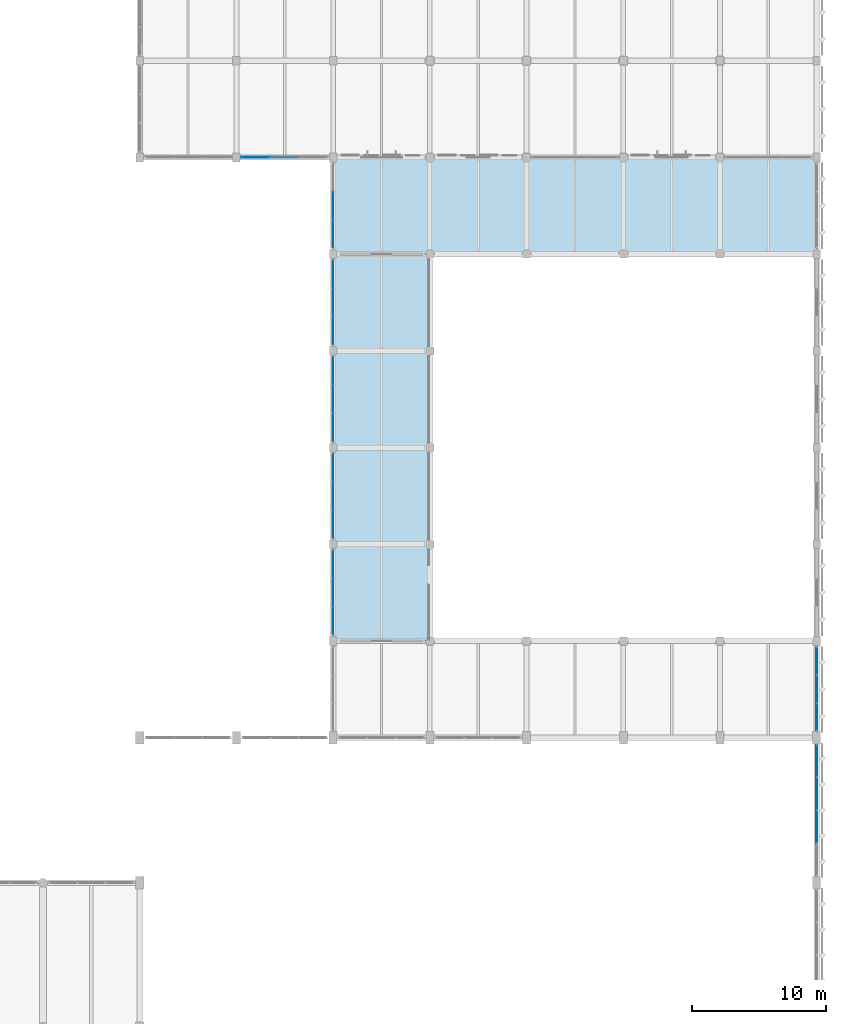
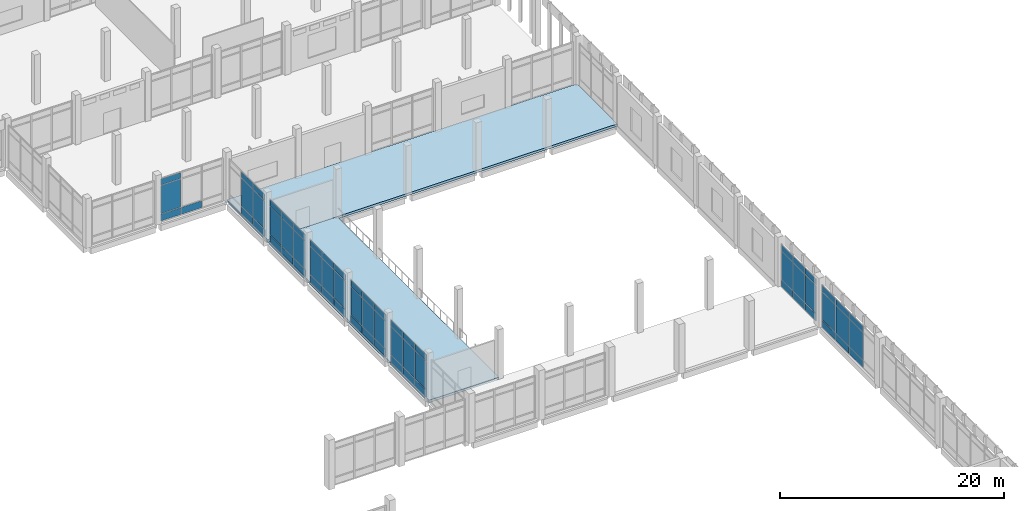
# One storey, part 150 of 180: 64 plates, 2 slabs, 8 elements without a shape of their own.
"""IFC4 building model written with IfcOpenShell, lengths in metres."""

from ifc_helpers import new_model, si_unit, direction, frame, origin, origin_2d, place, context, subcontext, project, spatial, polyline, rectangle, outline, extrude, material, layer, layer_set, type_object, element, aggregate, save


model = new_model("IFC4")

# Units and contexts
model_context = context("Model", 3, precision=1e-05, world=origin(), true_north=direction((0.0, 1.0)))
body_context = subcontext(model_context, "Body", "Model", "MODEL_VIEW")
ifc_project = project(units=[si_unit("LENGTHUNIT", "METRE"), si_unit("AREAUNIT", "SQUARE_METRE"), si_unit("VOLUMEUNIT", "CUBIC_METRE"), si_unit("PLANEANGLEUNIT", "RADIAN"), si_unit("MASSUNIT", "GRAM", prefix="KILO")], contexts=[model_context])

# Site, building, storey
site_placement = place(None, origin())
site = spatial("IfcSite", under=ifc_project, at=site_placement, CompositionType="ELEMENT")
building_placement = place(site_placement, origin())
building = spatial("IfcBuilding", under=site, at=building_placement, Name="Lusvemor Sports Hall", CompositionType="ELEMENT")
storey_placement = place(building_placement, frame((0.0, 0.0, 5.39990234375)))
storey = spatial("IfcBuildingStorey", under=building, at=storey_placement, Name="L01", CompositionType="ELEMENT", Elevation=5.39990234375)

# Curtain wall, plates
ifc_material_1 = material(Name="Thermally broken bronze-anodized aluminium", Category="aluminium")
curtain_wall_type_1 = type_object("IfcCurtainWallType", Name="CW_COURT_C", PredefinedType="NOTDEFINED", material=ifc_material_1)
curtain_wall_1_placement = place(storey_placement, origin())
curtain_wall_1 = element("IfcCurtainWall", 1, at=curtain_wall_1_placement, inside=storey, type_object=curtain_wall_type_1, Name="Curtain Wall CW-V2E-L01-3", PredefinedType="NOTDEFINED")
ifc_material_2 = material(Name="Solar-control laminated double glazing", Category="glass")
ifc_layer_1 = layer(ifc_material_2, 0.028076171875)
ifc_layer_set_1 = layer_set([ifc_layer_1], Name="Solar-control laminated double glazing")
plate_type_1 = type_object("IfcPlateType", Name="CW_PAN_GLZ_28", PredefinedType="CURTAIN_PANEL", material=ifc_layer_set_1)
plate_1_placement = place(storey_placement, frame((169.199951171875, 37.873779296875, 0.8798828125), z_axis=(0.0, 0.0, 1.0), x_axis=(0.0, -1.0, 0.0)))
plate_1 = element("IfcPlate", 2, at=plate_1_placement, type_object=plate_type_1, Name="CW03 panel 1.2", PredefinedType="CURTAIN_PANEL", context=body_context, shape_type="SweptSolid", body=[
    extrude(rectangle(XDim=2.362548828125, YDim=0.028076171875, at=origin_2d()), origin(), (0.0, 0.0, 1.0), 2.989990234375),
])
plate_2_placement = place(storey_placement, frame((169.199951171875, 37.873779296875, 3.93017578125), z_axis=(0.0, 0.0, 1.0), x_axis=(0.0, -1.0, 0.0)))
plate_2 = element("IfcPlate", 3, at=plate_2_placement, type_object=plate_type_1, Name="CW03 panel 1.3", PredefinedType="CURTAIN_PANEL", context=body_context, shape_type="SweptSolid", body=[
    extrude(rectangle(XDim=2.362548828125, YDim=0.028076171875, at=origin_2d()), origin(), (0.0, 0.0, 1.0), 0.659912109375),
])
plate_3_placement = place(storey_placement, frame((169.199951171875, 35.429931640625, 0.8798828125), z_axis=(0.0, 0.0, 1.0), x_axis=(0.0, -1.0, 0.0)))
plate_3 = element("IfcPlate", 4, at=plate_3_placement, type_object=plate_type_1, Name="CW03 panel 2.2", PredefinedType="CURTAIN_PANEL", context=body_context, shape_type="SweptSolid", body=[
    extrude(rectangle(XDim=2.39501953125, YDim=0.028076171875, at=origin_2d()), origin(), (0.0, 0.0, 1.0), 2.989990234375),
])
plate_4_placement = place(storey_placement, frame((169.199951171875, 35.429931640625, 3.93017578125), z_axis=(0.0, 0.0, 1.0), x_axis=(0.0, -1.0, 0.0)))
plate_4 = element("IfcPlate", 5, at=plate_4_placement, type_object=plate_type_1, Name="CW03 panel 2.3", PredefinedType="CURTAIN_PANEL", context=body_context, shape_type="SweptSolid", body=[
    extrude(rectangle(XDim=2.39501953125, YDim=0.028076171875, at=origin_2d()), origin(), (0.0, 0.0, 1.0), 0.659912109375),
])
plate_5_placement = place(storey_placement, frame((169.199951171875, 32.969970703125, 0.8798828125), z_axis=(0.0, 0.0, 1.0), x_axis=(0.0, -1.0, 0.0)))
plate_5 = element("IfcPlate", 6, at=plate_5_placement, type_object=plate_type_1, Name="CW03 panel 3.2", PredefinedType="CURTAIN_PANEL", context=body_context, shape_type="SweptSolid", body=[
    extrude(rectangle(XDim=2.39501953125, YDim=0.028076171875, at=origin_2d()), origin(), (0.0, 0.0, 1.0), 2.989990234375),
])
plate_6_placement = place(storey_placement, frame((169.199951171875, 32.969970703125, 3.93017578125), z_axis=(0.0, 0.0, 1.0), x_axis=(0.0, -1.0, 0.0)))
plate_6 = element("IfcPlate", 7, at=plate_6_placement, type_object=plate_type_1, Name="CW03 panel 3.3", PredefinedType="CURTAIN_PANEL", context=body_context, shape_type="SweptSolid", body=[
    extrude(rectangle(XDim=2.39501953125, YDim=0.028076171875, at=origin_2d()), origin(), (0.0, 0.0, 1.0), 0.659912109375),
])

ifc_material_3 = material(Name="Thermally broken bronze-anodized aluminium", Category="aluminium")
curtain_wall_type_2 = type_object("IfcCurtainWallType", Name="CW_CLIMB_D", PredefinedType="NOTDEFINED", material=ifc_material_3)
curtain_wall_2_placement = place(storey_placement, origin())
curtain_wall_2 = element("IfcCurtainWall", 8, at=curtain_wall_2_placement, inside=storey, type_object=curtain_wall_type_2, Name="Curtain Wall CW-V3W-L01-0", PredefinedType="NOTDEFINED")
plate_7_placement = place(storey_placement, frame((133.199951171875, 48.296142578125, 0.880126953125), z_axis=(0.0, 0.0, 1.0), x_axis=(0.0, 1.0, 0.0)))
plate_7 = element("IfcPlate", 9, at=plate_7_placement, type_object=plate_type_1, Name="CW04 panel 1.2", PredefinedType="CURTAIN_PANEL", context=body_context, shape_type="SweptSolid", body=[
    extrude(rectangle(XDim=2.0224609375, YDim=0.028076171875, at=origin_2d()), origin(), (0.0, 0.0, 1.0), 3.0400390625),
])
plate_8_placement = place(storey_placement, frame((133.199951171875, 48.296142578125, 3.97998046875), z_axis=(0.0, 0.0, 1.0), x_axis=(0.0, 1.0, 0.0)))
plate_8 = element("IfcPlate", 10, at=plate_8_placement, type_object=plate_type_1, Name="CW04 panel 1.3", PredefinedType="CURTAIN_PANEL", context=body_context, shape_type="SweptSolid", body=[
    extrude(rectangle(XDim=2.0224609375, YDim=0.028076171875, at=origin_2d()), origin(), (0.0, 0.0, 1.0), 0.659912109375),
])
plate_9_placement = place(storey_placement, frame((133.199951171875, 50.39990234375, 0.880126953125), z_axis=(0.0, 0.0, 1.0), x_axis=(0.0, 1.0, 0.0)))
plate_9 = element("IfcPlate", 11, at=plate_9_placement, type_object=plate_type_1, Name="CW04 panel 2.2", PredefinedType="CURTAIN_PANEL", context=body_context, shape_type="SweptSolid", body=[
    extrude(rectangle(XDim=2.054931640625, YDim=0.028076171875, at=origin_2d()), origin(), (0.0, 0.0, 1.0), 3.0400390625),
])
plate_10_placement = place(storey_placement, frame((133.199951171875, 50.39990234375, 3.97998046875), z_axis=(0.0, 0.0, 1.0), x_axis=(0.0, 1.0, 0.0)))
plate_10 = element("IfcPlate", 12, at=plate_10_placement, type_object=plate_type_1, Name="CW04 panel 2.3", PredefinedType="CURTAIN_PANEL", context=body_context, shape_type="SweptSolid", body=[
    extrude(rectangle(XDim=2.054931640625, YDim=0.028076171875, at=origin_2d()), origin(), (0.0, 0.0, 1.0), 0.659912109375),
])
plate_11_placement = place(storey_placement, frame((133.199951171875, 52.503662109375, 0.880126953125), z_axis=(0.0, 0.0, 1.0), x_axis=(0.0, 1.0, 0.0)))
plate_11 = element("IfcPlate", 13, at=plate_11_placement, type_object=plate_type_1, Name="CW04 panel 3.2", PredefinedType="CURTAIN_PANEL", context=body_context, shape_type="SweptSolid", body=[
    extrude(rectangle(XDim=2.0224609375, YDim=0.028076171875, at=origin_2d()), origin(), (0.0, 0.0, 1.0), 3.0400390625),
])
plate_12_placement = place(storey_placement, frame((133.199951171875, 52.503662109375, 3.97998046875), z_axis=(0.0, 0.0, 1.0), x_axis=(0.0, 1.0, 0.0)))
plate_12 = element("IfcPlate", 14, at=plate_12_placement, type_object=plate_type_1, Name="CW04 panel 3.3", PredefinedType="CURTAIN_PANEL", context=body_context, shape_type="SweptSolid", body=[
    extrude(rectangle(XDim=2.0224609375, YDim=0.028076171875, at=origin_2d()), origin(), (0.0, 0.0, 1.0), 0.659912109375),
])

curtain_wall_3_placement = place(storey_placement, origin())
curtain_wall_3 = element("IfcCurtainWall", 15, at=curtain_wall_3_placement, inside=storey, type_object=curtain_wall_type_2, Name="Curtain Wall CW-V3W-L01-1", PredefinedType="NOTDEFINED")
plate_13_placement = place(storey_placement, frame((133.199951171875, 55.496337890625, 0.880126953125), z_axis=(0.0, 0.0, 1.0), x_axis=(0.0, 1.0, 0.0)))
plate_13 = element("IfcPlate", 16, at=plate_13_placement, type_object=plate_type_1, Name="CW04 panel 1.2", PredefinedType="CURTAIN_PANEL", context=body_context, shape_type="SweptSolid", body=[
    extrude(rectangle(XDim=2.0224609375, YDim=0.028076171875, at=origin_2d()), origin(), (0.0, 0.0, 1.0), 3.0400390625),
])
plate_14_placement = place(storey_placement, frame((133.199951171875, 55.496337890625, 3.97998046875), z_axis=(0.0, 0.0, 1.0), x_axis=(0.0, 1.0, 0.0)))
plate_14 = element("IfcPlate", 17, at=plate_14_placement, type_object=plate_type_1, Name="CW04 panel 1.3", PredefinedType="CURTAIN_PANEL", context=body_context, shape_type="SweptSolid", body=[
    extrude(rectangle(XDim=2.0224609375, YDim=0.028076171875, at=origin_2d()), origin(), (0.0, 0.0, 1.0), 0.659912109375),
])
plate_15_placement = place(storey_placement, frame((133.199951171875, 57.60009765625, 0.880126953125), z_axis=(0.0, 0.0, 1.0), x_axis=(0.0, 1.0, 0.0)))
plate_15 = element("IfcPlate", 18, at=plate_15_placement, type_object=plate_type_1, Name="CW04 panel 2.2", PredefinedType="CURTAIN_PANEL", context=body_context, shape_type="SweptSolid", body=[
    extrude(rectangle(XDim=2.054931640625, YDim=0.028076171875, at=origin_2d()), origin(), (0.0, 0.0, 1.0), 3.0400390625),
])
plate_16_placement = place(storey_placement, frame((133.199951171875, 57.60009765625, 3.97998046875), z_axis=(0.0, 0.0, 1.0), x_axis=(0.0, 1.0, 0.0)))
plate_16 = element("IfcPlate", 19, at=plate_16_placement, type_object=plate_type_1, Name="CW04 panel 2.3", PredefinedType="CURTAIN_PANEL", context=body_context, shape_type="SweptSolid", body=[
    extrude(rectangle(XDim=2.054931640625, YDim=0.028076171875, at=origin_2d()), origin(), (0.0, 0.0, 1.0), 0.659912109375),
])
plate_17_placement = place(storey_placement, frame((133.199951171875, 59.703857421875, 0.880126953125), z_axis=(0.0, 0.0, 1.0), x_axis=(0.0, 1.0, 0.0)))
plate_17 = element("IfcPlate", 20, at=plate_17_placement, type_object=plate_type_1, Name="CW04 panel 3.2", PredefinedType="CURTAIN_PANEL", context=body_context, shape_type="SweptSolid", body=[
    extrude(rectangle(XDim=2.0224609375, YDim=0.028076171875, at=origin_2d()), origin(), (0.0, 0.0, 1.0), 3.0400390625),
])
plate_18_placement = place(storey_placement, frame((133.199951171875, 59.703857421875, 3.97998046875), z_axis=(0.0, 0.0, 1.0), x_axis=(0.0, 1.0, 0.0)))
plate_18 = element("IfcPlate", 21, at=plate_18_placement, type_object=plate_type_1, Name="CW04 panel 3.3", PredefinedType="CURTAIN_PANEL", context=body_context, shape_type="SweptSolid", body=[
    extrude(rectangle(XDim=2.0224609375, YDim=0.028076171875, at=origin_2d()), origin(), (0.0, 0.0, 1.0), 0.659912109375),
])

curtain_wall_4_placement = place(storey_placement, origin())
curtain_wall_4 = element("IfcCurtainWall", 22, at=curtain_wall_4_placement, inside=storey, type_object=curtain_wall_type_2, Name="Curtain Wall CW-V3W-L01-2", PredefinedType="NOTDEFINED")
plate_19_placement = place(storey_placement, frame((133.199951171875, 62.6962890625, 0.880126953125), z_axis=(0.0, 0.0, 1.0), x_axis=(0.0, 1.0, 0.0)))
plate_19 = element("IfcPlate", 23, at=plate_19_placement, type_object=plate_type_1, Name="CW04 panel 1.2", PredefinedType="CURTAIN_PANEL", context=body_context, shape_type="SweptSolid", body=[
    extrude(rectangle(XDim=2.0224609375, YDim=0.028076171875, at=origin_2d()), origin(), (0.0, 0.0, 1.0), 3.0400390625),
])
plate_20_placement = place(storey_placement, frame((133.199951171875, 62.6962890625, 3.97998046875), z_axis=(0.0, 0.0, 1.0), x_axis=(0.0, 1.0, 0.0)))
plate_20 = element("IfcPlate", 24, at=plate_20_placement, type_object=plate_type_1, Name="CW04 panel 1.3", PredefinedType="CURTAIN_PANEL", context=body_context, shape_type="SweptSolid", body=[
    extrude(rectangle(XDim=2.0224609375, YDim=0.028076171875, at=origin_2d()), origin(), (0.0, 0.0, 1.0), 0.659912109375),
])
plate_21_placement = place(storey_placement, frame((133.199951171875, 64.800048828125, 0.880126953125), z_axis=(0.0, 0.0, 1.0), x_axis=(0.0, 1.0, 0.0)))
plate_21 = element("IfcPlate", 25, at=plate_21_placement, type_object=plate_type_1, Name="CW04 panel 2.2", PredefinedType="CURTAIN_PANEL", context=body_context, shape_type="SweptSolid", body=[
    extrude(rectangle(XDim=2.054931640625, YDim=0.028076171875, at=origin_2d()), origin(), (0.0, 0.0, 1.0), 3.0400390625),
])
plate_22_placement = place(storey_placement, frame((133.199951171875, 64.800048828125, 3.97998046875), z_axis=(0.0, 0.0, 1.0), x_axis=(0.0, 1.0, 0.0)))
plate_22 = element("IfcPlate", 26, at=plate_22_placement, type_object=plate_type_1, Name="CW04 panel 2.3", PredefinedType="CURTAIN_PANEL", context=body_context, shape_type="SweptSolid", body=[
    extrude(rectangle(XDim=2.054931640625, YDim=0.028076171875, at=origin_2d()), origin(), (0.0, 0.0, 1.0), 0.659912109375),
])
plate_23_placement = place(storey_placement, frame((133.199951171875, 66.90380859375, 0.880126953125), z_axis=(0.0, 0.0, 1.0), x_axis=(0.0, 1.0, 0.0)))
plate_23 = element("IfcPlate", 27, at=plate_23_placement, type_object=plate_type_1, Name="CW04 panel 3.2", PredefinedType="CURTAIN_PANEL", context=body_context, shape_type="SweptSolid", body=[
    extrude(rectangle(XDim=2.0224609375, YDim=0.028076171875, at=origin_2d()), origin(), (0.0, 0.0, 1.0), 3.0400390625),
])
plate_24_placement = place(storey_placement, frame((133.199951171875, 66.90380859375, 3.97998046875), z_axis=(0.0, 0.0, 1.0), x_axis=(0.0, 1.0, 0.0)))
plate_24 = element("IfcPlate", 28, at=plate_24_placement, type_object=plate_type_1, Name="CW04 panel 3.3", PredefinedType="CURTAIN_PANEL", context=body_context, shape_type="SweptSolid", body=[
    extrude(rectangle(XDim=2.0224609375, YDim=0.028076171875, at=origin_2d()), origin(), (0.0, 0.0, 1.0), 0.659912109375),
])

curtain_wall_5_placement = place(storey_placement, origin())
curtain_wall_5 = element("IfcCurtainWall", 29, at=curtain_wall_5_placement, inside=storey, type_object=curtain_wall_type_2, Name="Curtain Wall CW-V3W-L01-3", PredefinedType="NOTDEFINED")
plate_25_placement = place(storey_placement, frame((133.199951171875, 69.896240234375, 0.880126953125), z_axis=(0.0, 0.0, 1.0), x_axis=(0.0, 1.0, 0.0)))
plate_25 = element("IfcPlate", 30, at=plate_25_placement, type_object=plate_type_1, Name="CW04 panel 1.2", PredefinedType="CURTAIN_PANEL", context=body_context, shape_type="SweptSolid", body=[
    extrude(rectangle(XDim=2.0224609375, YDim=0.028076171875, at=origin_2d()), origin(), (0.0, 0.0, 1.0), 3.0400390625),
])
plate_26_placement = place(storey_placement, frame((133.199951171875, 69.896240234375, 3.97998046875), z_axis=(0.0, 0.0, 1.0), x_axis=(0.0, 1.0, 0.0)))
plate_26 = element("IfcPlate", 31, at=plate_26_placement, type_object=plate_type_1, Name="CW04 panel 1.3", PredefinedType="CURTAIN_PANEL", context=body_context, shape_type="SweptSolid", body=[
    extrude(rectangle(XDim=2.0224609375, YDim=0.028076171875, at=origin_2d()), origin(), (0.0, 0.0, 1.0), 0.659912109375),
])
plate_27_placement = place(storey_placement, frame((133.199951171875, 72.0, 0.880126953125), z_axis=(0.0, 0.0, 1.0), x_axis=(0.0, 1.0, 0.0)))
plate_27 = element("IfcPlate", 32, at=plate_27_placement, type_object=plate_type_1, Name="CW04 panel 2.2", PredefinedType="CURTAIN_PANEL", context=body_context, shape_type="SweptSolid", body=[
    extrude(rectangle(XDim=2.054931640625, YDim=0.028076171875, at=origin_2d()), origin(), (0.0, 0.0, 1.0), 3.0400390625),
])
plate_28_placement = place(storey_placement, frame((133.199951171875, 72.0, 3.97998046875), z_axis=(0.0, 0.0, 1.0), x_axis=(0.0, 1.0, 0.0)))
plate_28 = element("IfcPlate", 33, at=plate_28_placement, type_object=plate_type_1, Name="CW04 panel 2.3", PredefinedType="CURTAIN_PANEL", context=body_context, shape_type="SweptSolid", body=[
    extrude(rectangle(XDim=2.054931640625, YDim=0.028076171875, at=origin_2d()), origin(), (0.0, 0.0, 1.0), 0.659912109375),
])
plate_29_placement = place(storey_placement, frame((133.199951171875, 74.103759765625, 0.880126953125), z_axis=(0.0, 0.0, 1.0), x_axis=(0.0, 1.0, 0.0)))
plate_29 = element("IfcPlate", 34, at=plate_29_placement, type_object=plate_type_1, Name="CW04 panel 3.2", PredefinedType="CURTAIN_PANEL", context=body_context, shape_type="SweptSolid", body=[
    extrude(rectangle(XDim=2.0224609375, YDim=0.028076171875, at=origin_2d()), origin(), (0.0, 0.0, 1.0), 3.0400390625),
])
plate_30_placement = place(storey_placement, frame((133.199951171875, 74.103759765625, 3.97998046875), z_axis=(0.0, 0.0, 1.0), x_axis=(0.0, 1.0, 0.0)))
plate_30 = element("IfcPlate", 35, at=plate_30_placement, type_object=plate_type_1, Name="CW04 panel 3.3", PredefinedType="CURTAIN_PANEL", context=body_context, shape_type="SweptSolid", body=[
    extrude(rectangle(XDim=2.0224609375, YDim=0.028076171875, at=origin_2d()), origin(), (0.0, 0.0, 1.0), 0.659912109375),
])

ifc_material_4 = material(Name="Thermally broken bronze-anodized aluminium", Category="aluminium")
curtain_wall_type_3 = type_object("IfcCurtainWallType", Name="CW_PASSAGE_E", PredefinedType="NOTDEFINED", material=ifc_material_4)
curtain_wall_6_placement = place(storey_placement, origin())
curtain_wall_6 = element("IfcCurtainWall", 36, at=curtain_wall_6_placement, inside=storey, type_object=curtain_wall_type_3, Name="Curtain Wall CW-ELINK-169-L01", PredefinedType="NOTDEFINED")
plate_31_placement = place(storey_placement, frame((169.199951171875, 41.142822265625, 0.880126953125), z_axis=(0.0, 0.0, 1.0), x_axis=(0.0, 1.0, 0.0)))
plate_31 = element("IfcPlate", 37, at=plate_31_placement, type_object=plate_type_1, Name="CW05 panel 1.2", PredefinedType="CURTAIN_PANEL", context=body_context, shape_type="SweptSolid", body=[
    extrude(rectangle(XDim=1.995849609375, YDim=0.028076171875, at=origin_2d()), origin(), (0.0, 0.0, 1.0), 3.0400390625),
])
plate_32_placement = place(storey_placement, frame((169.199951171875, 41.142822265625, 3.97998046875), z_axis=(0.0, 0.0, 1.0), x_axis=(0.0, 1.0, 0.0)))
plate_32 = element("IfcPlate", 38, at=plate_32_placement, type_object=plate_type_1, Name="CW05 panel 1.3", PredefinedType="CURTAIN_PANEL", context=body_context, shape_type="SweptSolid", body=[
    extrude(rectangle(XDim=1.995849609375, YDim=0.028076171875, at=origin_2d()), origin(), (0.0, 0.0, 1.0), 0.659912109375),
])
plate_33_placement = place(storey_placement, frame((169.199951171875, 43.219970703125, 0.880126953125), z_axis=(0.0, 0.0, 1.0), x_axis=(0.0, 1.0, 0.0)))
plate_33 = element("IfcPlate", 39, at=plate_33_placement, type_object=plate_type_1, Name="CW05 panel 2.2", PredefinedType="CURTAIN_PANEL", context=body_context, shape_type="SweptSolid", body=[
    extrude(rectangle(XDim=2.0283203125, YDim=0.028076171875, at=origin_2d()), origin(), (0.0, 0.0, 1.0), 3.0400390625),
])
plate_34_placement = place(storey_placement, frame((169.199951171875, 43.219970703125, 3.97998046875), z_axis=(0.0, 0.0, 1.0), x_axis=(0.0, 1.0, 0.0)))
plate_34 = element("IfcPlate", 40, at=plate_34_placement, type_object=plate_type_1, Name="CW05 panel 2.3", PredefinedType="CURTAIN_PANEL", context=body_context, shape_type="SweptSolid", body=[
    extrude(rectangle(XDim=2.0283203125, YDim=0.028076171875, at=origin_2d()), origin(), (0.0, 0.0, 1.0), 0.659912109375),
])
plate_35_placement = place(storey_placement, frame((169.199951171875, 45.297119140625, 0.880126953125), z_axis=(0.0, 0.0, 1.0), x_axis=(0.0, 1.0, 0.0)))
plate_35 = element("IfcPlate", 41, at=plate_35_placement, type_object=plate_type_1, Name="CW05 panel 3.2", PredefinedType="CURTAIN_PANEL", context=body_context, shape_type="SweptSolid", body=[
    extrude(rectangle(XDim=1.995849609375, YDim=0.028076171875, at=origin_2d()), origin(), (0.0, 0.0, 1.0), 3.0400390625),
])
plate_36_placement = place(storey_placement, frame((169.199951171875, 45.297119140625, 3.97998046875), z_axis=(0.0, 0.0, 1.0), x_axis=(0.0, 1.0, 0.0)))
plate_36 = element("IfcPlate", 42, at=plate_36_placement, type_object=plate_type_1, Name="CW05 panel 3.3", PredefinedType="CURTAIN_PANEL", context=body_context, shape_type="SweptSolid", body=[
    extrude(rectangle(XDim=1.995849609375, YDim=0.028076171875, at=origin_2d()), origin(), (0.0, 0.0, 1.0), 0.659912109375),
])

curtain_wall_7_placement = place(storey_placement, origin())
curtain_wall_7 = element("IfcCurtainWall", 43, at=curtain_wall_7_placement, inside=storey, type_object=curtain_wall_type_3, Name="Curtain Wall CW-NLINK-133-L01", PredefinedType="NOTDEFINED")
plate_37_placement = place(storey_placement, frame((133.199951171875, 77.109619140625, 0.880126953125), z_axis=(0.0, 0.0, 1.0), x_axis=(0.0, 1.0, 0.0)))
plate_37 = element("IfcPlate", 44, at=plate_37_placement, type_object=plate_type_1, Name="CW05 panel 1.2", PredefinedType="CURTAIN_PANEL", context=body_context, shape_type="SweptSolid", body=[
    extrude(rectangle(XDim=2.00927734375, YDim=0.028076171875, at=origin_2d()), origin(), (0.0, 0.0, 1.0), 3.0400390625),
])
plate_38_placement = place(storey_placement, frame((133.199951171875, 77.109619140625, 3.97998046875), z_axis=(0.0, 0.0, 1.0), x_axis=(0.0, 1.0, 0.0)))
plate_38 = element("IfcPlate", 45, at=plate_38_placement, type_object=plate_type_1, Name="CW05 panel 1.3", PredefinedType="CURTAIN_PANEL", context=body_context, shape_type="SweptSolid", body=[
    extrude(rectangle(XDim=2.00927734375, YDim=0.028076171875, at=origin_2d()), origin(), (0.0, 0.0, 1.0), 0.659912109375),
])
plate_39_placement = place(storey_placement, frame((133.199951171875, 79.199951171875, 0.880126953125), z_axis=(0.0, 0.0, 1.0), x_axis=(0.0, 1.0, 0.0)))
plate_39 = element("IfcPlate", 46, at=plate_39_placement, type_object=plate_type_1, Name="CW05 panel 2.2", PredefinedType="CURTAIN_PANEL", context=body_context, shape_type="SweptSolid", body=[
    extrude(rectangle(XDim=2.041748046875, YDim=0.028076171875, at=origin_2d()), origin(), (0.0, 0.0, 1.0), 3.0400390625),
])
plate_40_placement = place(storey_placement, frame((133.199951171875, 79.199951171875, 3.97998046875), z_axis=(0.0, 0.0, 1.0), x_axis=(0.0, 1.0, 0.0)))
plate_40 = element("IfcPlate", 47, at=plate_40_placement, type_object=plate_type_1, Name="CW05 panel 2.3", PredefinedType="CURTAIN_PANEL", context=body_context, shape_type="SweptSolid", body=[
    extrude(rectangle(XDim=2.041748046875, YDim=0.028076171875, at=origin_2d()), origin(), (0.0, 0.0, 1.0), 0.659912109375),
])

ifc_material_5 = material(Name="Thermally broken bronze-anodized aluminium", Category="aluminium")
curtain_wall_type_4 = type_object("IfcCurtainWallType", Name="CW_WING_B", PredefinedType="NOTDEFINED", material=ifc_material_5)
curtain_wall_8_placement = place(storey_placement, origin())
curtain_wall_8 = element("IfcCurtainWall", 48, at=curtain_wall_8_placement, inside=storey, type_object=curtain_wall_type_4, Name="Curtain Wall CW-V5NE-S-L01-A", PredefinedType="NOTDEFINED")
plate_41_placement = place(storey_placement, frame((127.4013671875, 82.800048828125, 0.880126953125), z_axis=(0.0, 0.0, 1.0), x_axis=(-1.0, 0.0, 0.0)))
plate_41 = element("IfcPlate", 49, at=plate_41_placement, type_object=plate_type_1, Name="CW02 panel 3.2", PredefinedType="CURTAIN_PANEL", context=body_context, shape_type="SweptSolid", body=[
    extrude(rectangle(XDim=2.052490234375, YDim=0.028076171875, at=origin_2d()), origin(), (0.0, 0.0, 1.0), 3.0400390625),
])
plate_42_placement = place(storey_placement, frame((127.4013671875, 82.800048828125, 3.97998046875), z_axis=(0.0, 0.0, 1.0), x_axis=(-1.0, 0.0, 0.0)))
plate_42 = element("IfcPlate", 50, at=plate_42_placement, type_object=plate_type_1, Name="CW02 panel 3.3", PredefinedType="CURTAIN_PANEL", context=body_context, shape_type="SweptSolid", body=[
    extrude(rectangle(XDim=2.052490234375, YDim=0.028076171875, at=origin_2d()), origin(), (0.0, 0.0, 1.0), 0.659912109375),
])

# Plate
ifc_material_6 = material(Name="Emerald polychrome glazed ceramic cladding on Concrete C40/50 backing", Category="concrete")
ifc_layer_2 = layer(ifc_material_6, 0.048095703125)
ifc_layer_set_2 = layer_set([ifc_layer_2], Name="Emerald polychrome glazed ceramic cladding on Concrete C40/50 backing")
plate_type_2 = type_object("IfcPlateType", Name="CW_PAN_SPN_48", PredefinedType="CURTAIN_PANEL", material=ifc_layer_set_2)
plate_43_placement = place(storey_placement, frame((169.199951171875, 37.873779296875, 0.06005859375), z_axis=(0.0, 0.0, 1.0), x_axis=(0.0, -1.0, 0.0)))
plate_43 = element("IfcPlate", 51, at=plate_43_placement, type_object=plate_type_2, Name="CW03 panel 1.1", PredefinedType="CURTAIN_PANEL", context=body_context, shape_type="SweptSolid", body=[
    extrude(rectangle(XDim=2.362548828125, YDim=0.048095703125, at=origin_2d()), origin(), (0.0, 0.0, 1.0), 0.760009765625),
])

plate_44_placement = place(storey_placement, frame((169.199951171875, 35.429931640625, 0.06005859375), z_axis=(0.0, 0.0, 1.0), x_axis=(0.0, -1.0, 0.0)))
plate_44 = element("IfcPlate", 52, at=plate_44_placement, type_object=plate_type_2, Name="CW03 panel 2.1", PredefinedType="CURTAIN_PANEL", context=body_context, shape_type="SweptSolid", body=[
    extrude(rectangle(XDim=2.39501953125, YDim=0.048095703125, at=origin_2d()), origin(), (0.0, 0.0, 1.0), 0.760009765625),
])

plate_45_placement = place(storey_placement, frame((169.199951171875, 32.969970703125, 0.06005859375), z_axis=(0.0, 0.0, 1.0), x_axis=(0.0, -1.0, 0.0)))
plate_45 = element("IfcPlate", 53, at=plate_45_placement, type_object=plate_type_2, Name="CW03 panel 3.1", PredefinedType="CURTAIN_PANEL", context=body_context, shape_type="SweptSolid", body=[
    extrude(rectangle(XDim=2.39501953125, YDim=0.048095703125, at=origin_2d()), origin(), (0.0, 0.0, 1.0), 0.760009765625),
])

aggregate(curtain_wall_1, [plate_43, plate_1, plate_2, plate_44, plate_3, plate_4, plate_45, plate_5, plate_6])

plate_46_placement = place(storey_placement, frame((133.199951171875, 48.296142578125, 0.06005859375), z_axis=(0.0, 0.0, 1.0), x_axis=(0.0, 1.0, 0.0)))
plate_46 = element("IfcPlate", 54, at=plate_46_placement, type_object=plate_type_2, Name="CW04 panel 1.1", PredefinedType="CURTAIN_PANEL", context=body_context, shape_type="SweptSolid", body=[
    extrude(rectangle(XDim=2.0224609375, YDim=0.048095703125, at=origin_2d()), origin(), (0.0, 0.0, 1.0), 0.760009765625),
])

plate_47_placement = place(storey_placement, frame((133.199951171875, 50.39990234375, 0.06005859375), z_axis=(0.0, 0.0, 1.0), x_axis=(0.0, 1.0, 0.0)))
plate_47 = element("IfcPlate", 55, at=plate_47_placement, type_object=plate_type_2, Name="CW04 panel 2.1", PredefinedType="CURTAIN_PANEL", context=body_context, shape_type="SweptSolid", body=[
    extrude(rectangle(XDim=2.054931640625, YDim=0.048095703125, at=origin_2d()), origin(), (0.0, 0.0, 1.0), 0.760009765625),
])

plate_48_placement = place(storey_placement, frame((133.199951171875, 52.503662109375, 0.06005859375), z_axis=(0.0, 0.0, 1.0), x_axis=(0.0, 1.0, 0.0)))
plate_48 = element("IfcPlate", 56, at=plate_48_placement, type_object=plate_type_2, Name="CW04 panel 3.1", PredefinedType="CURTAIN_PANEL", context=body_context, shape_type="SweptSolid", body=[
    extrude(rectangle(XDim=2.0224609375, YDim=0.048095703125, at=origin_2d()), origin(), (0.0, 0.0, 1.0), 0.760009765625),
])

aggregate(curtain_wall_2, [plate_46, plate_7, plate_8, plate_47, plate_9, plate_10, plate_48, plate_11, plate_12])

plate_49_placement = place(storey_placement, frame((133.199951171875, 55.496337890625, 0.06005859375), z_axis=(0.0, 0.0, 1.0), x_axis=(0.0, 1.0, 0.0)))
plate_49 = element("IfcPlate", 57, at=plate_49_placement, type_object=plate_type_2, Name="CW04 panel 1.1", PredefinedType="CURTAIN_PANEL", context=body_context, shape_type="SweptSolid", body=[
    extrude(rectangle(XDim=2.0224609375, YDim=0.048095703125, at=origin_2d()), origin(), (0.0, 0.0, 1.0), 0.760009765625),
])

plate_50_placement = place(storey_placement, frame((133.199951171875, 57.60009765625, 0.06005859375), z_axis=(0.0, 0.0, 1.0), x_axis=(0.0, 1.0, 0.0)))
plate_50 = element("IfcPlate", 58, at=plate_50_placement, type_object=plate_type_2, Name="CW04 panel 2.1", PredefinedType="CURTAIN_PANEL", context=body_context, shape_type="SweptSolid", body=[
    extrude(rectangle(XDim=2.054931640625, YDim=0.048095703125, at=origin_2d()), origin(), (0.0, 0.0, 1.0), 0.760009765625),
])

plate_51_placement = place(storey_placement, frame((133.199951171875, 59.703857421875, 0.06005859375), z_axis=(0.0, 0.0, 1.0), x_axis=(0.0, 1.0, 0.0)))
plate_51 = element("IfcPlate", 59, at=plate_51_placement, type_object=plate_type_2, Name="CW04 panel 3.1", PredefinedType="CURTAIN_PANEL", context=body_context, shape_type="SweptSolid", body=[
    extrude(rectangle(XDim=2.0224609375, YDim=0.048095703125, at=origin_2d()), origin(), (0.0, 0.0, 1.0), 0.760009765625),
])

aggregate(curtain_wall_3, [plate_49, plate_13, plate_14, plate_50, plate_15, plate_16, plate_51, plate_17, plate_18])

plate_52_placement = place(storey_placement, frame((133.199951171875, 62.6962890625, 0.06005859375), z_axis=(0.0, 0.0, 1.0), x_axis=(0.0, 1.0, 0.0)))
plate_52 = element("IfcPlate", 60, at=plate_52_placement, type_object=plate_type_2, Name="CW04 panel 1.1", PredefinedType="CURTAIN_PANEL", context=body_context, shape_type="SweptSolid", body=[
    extrude(rectangle(XDim=2.0224609375, YDim=0.048095703125, at=origin_2d()), origin(), (0.0, 0.0, 1.0), 0.760009765625),
])

plate_53_placement = place(storey_placement, frame((133.199951171875, 64.800048828125, 0.06005859375), z_axis=(0.0, 0.0, 1.0), x_axis=(0.0, 1.0, 0.0)))
plate_53 = element("IfcPlate", 61, at=plate_53_placement, type_object=plate_type_2, Name="CW04 panel 2.1", PredefinedType="CURTAIN_PANEL", context=body_context, shape_type="SweptSolid", body=[
    extrude(rectangle(XDim=2.054931640625, YDim=0.048095703125, at=origin_2d()), origin(), (0.0, 0.0, 1.0), 0.760009765625),
])

plate_54_placement = place(storey_placement, frame((133.199951171875, 66.90380859375, 0.06005859375), z_axis=(0.0, 0.0, 1.0), x_axis=(0.0, 1.0, 0.0)))
plate_54 = element("IfcPlate", 62, at=plate_54_placement, type_object=plate_type_2, Name="CW04 panel 3.1", PredefinedType="CURTAIN_PANEL", context=body_context, shape_type="SweptSolid", body=[
    extrude(rectangle(XDim=2.0224609375, YDim=0.048095703125, at=origin_2d()), origin(), (0.0, 0.0, 1.0), 0.760009765625),
])

aggregate(curtain_wall_4, [plate_52, plate_19, plate_20, plate_53, plate_21, plate_22, plate_54, plate_23, plate_24])

plate_55_placement = place(storey_placement, frame((133.199951171875, 69.896240234375, 0.06005859375), z_axis=(0.0, 0.0, 1.0), x_axis=(0.0, 1.0, 0.0)))
plate_55 = element("IfcPlate", 63, at=plate_55_placement, type_object=plate_type_2, Name="CW04 panel 1.1", PredefinedType="CURTAIN_PANEL", context=body_context, shape_type="SweptSolid", body=[
    extrude(rectangle(XDim=2.0224609375, YDim=0.048095703125, at=origin_2d()), origin(), (0.0, 0.0, 1.0), 0.760009765625),
])

plate_56_placement = place(storey_placement, frame((133.199951171875, 72.0, 0.06005859375), z_axis=(0.0, 0.0, 1.0), x_axis=(0.0, 1.0, 0.0)))
plate_56 = element("IfcPlate", 64, at=plate_56_placement, type_object=plate_type_2, Name="CW04 panel 2.1", PredefinedType="CURTAIN_PANEL", context=body_context, shape_type="SweptSolid", body=[
    extrude(rectangle(XDim=2.054931640625, YDim=0.048095703125, at=origin_2d()), origin(), (0.0, 0.0, 1.0), 0.760009765625),
])

plate_57_placement = place(storey_placement, frame((133.199951171875, 74.103759765625, 0.06005859375), z_axis=(0.0, 0.0, 1.0), x_axis=(0.0, 1.0, 0.0)))
plate_57 = element("IfcPlate", 65, at=plate_57_placement, type_object=plate_type_2, Name="CW04 panel 3.1", PredefinedType="CURTAIN_PANEL", context=body_context, shape_type="SweptSolid", body=[
    extrude(rectangle(XDim=2.0224609375, YDim=0.048095703125, at=origin_2d()), origin(), (0.0, 0.0, 1.0), 0.760009765625),
])

aggregate(curtain_wall_5, [plate_55, plate_25, plate_26, plate_56, plate_27, plate_28, plate_57, plate_29, plate_30])

plate_58_placement = place(storey_placement, frame((169.199951171875, 41.142822265625, 0.06005859375), z_axis=(0.0, 0.0, 1.0), x_axis=(0.0, 1.0, 0.0)))
plate_58 = element("IfcPlate", 66, at=plate_58_placement, type_object=plate_type_2, Name="CW05 panel 1.1", PredefinedType="CURTAIN_PANEL", context=body_context, shape_type="SweptSolid", body=[
    extrude(rectangle(XDim=1.995849609375, YDim=0.048095703125, at=origin_2d()), origin(), (0.0, 0.0, 1.0), 0.760009765625),
])

plate_59_placement = place(storey_placement, frame((169.199951171875, 43.219970703125, 0.06005859375), z_axis=(0.0, 0.0, 1.0), x_axis=(0.0, 1.0, 0.0)))
plate_59 = element("IfcPlate", 67, at=plate_59_placement, type_object=plate_type_2, Name="CW05 panel 2.1", PredefinedType="CURTAIN_PANEL", context=body_context, shape_type="SweptSolid", body=[
    extrude(rectangle(XDim=2.0283203125, YDim=0.048095703125, at=origin_2d()), origin(), (0.0, 0.0, 1.0), 0.760009765625),
])

plate_60_placement = place(storey_placement, frame((169.199951171875, 45.297119140625, 0.06005859375), z_axis=(0.0, 0.0, 1.0), x_axis=(0.0, 1.0, 0.0)))
plate_60 = element("IfcPlate", 68, at=plate_60_placement, type_object=plate_type_2, Name="CW05 panel 3.1", PredefinedType="CURTAIN_PANEL", context=body_context, shape_type="SweptSolid", body=[
    extrude(rectangle(XDim=1.995849609375, YDim=0.048095703125, at=origin_2d()), origin(), (0.0, 0.0, 1.0), 0.760009765625),
])

aggregate(curtain_wall_6, [plate_58, plate_31, plate_32, plate_59, plate_33, plate_34, plate_60, plate_35, plate_36])

plate_61_placement = place(storey_placement, frame((133.199951171875, 77.109619140625, 0.06005859375), z_axis=(0.0, 0.0, 1.0), x_axis=(0.0, 1.0, 0.0)))
plate_61 = element("IfcPlate", 69, at=plate_61_placement, type_object=plate_type_2, Name="CW05 panel 1.1", PredefinedType="CURTAIN_PANEL", context=body_context, shape_type="SweptSolid", body=[
    extrude(rectangle(XDim=2.00927734375, YDim=0.048095703125, at=origin_2d()), origin(), (0.0, 0.0, 1.0), 0.760009765625),
])

plate_62_placement = place(storey_placement, frame((133.199951171875, 79.199951171875, 0.06005859375), z_axis=(0.0, 0.0, 1.0), x_axis=(0.0, 1.0, 0.0)))
plate_62 = element("IfcPlate", 70, at=plate_62_placement, type_object=plate_type_2, Name="CW05 panel 2.1", PredefinedType="CURTAIN_PANEL", context=body_context, shape_type="SweptSolid", body=[
    extrude(rectangle(XDim=2.041748046875, YDim=0.048095703125, at=origin_2d()), origin(), (0.0, 0.0, 1.0), 0.760009765625),
])

aggregate(curtain_wall_7, [plate_61, plate_37, plate_38, plate_62, plate_39, plate_40])

plate_63_placement = place(storey_placement, frame((129.534912109375, 82.800048828125, 0.06005859375), z_axis=(0.0, 0.0, 1.0), x_axis=(-1.0, 0.0, 0.0)))
plate_63 = element("IfcPlate", 71, at=plate_63_placement, type_object=plate_type_2, Name="CW02 panel 2.1", PredefinedType="CURTAIN_PANEL", context=body_context, shape_type="SweptSolid", body=[
    extrude(rectangle(XDim=2.0849609375, YDim=0.048095703125, at=origin_2d()), origin(), (0.0, 0.0, 1.0), 0.760009765625),
])

plate_64_placement = place(storey_placement, frame((127.4013671875, 82.800048828125, 0.06005859375), z_axis=(0.0, 0.0, 1.0), x_axis=(-1.0, 0.0, 0.0)))
plate_64 = element("IfcPlate", 72, at=plate_64_placement, type_object=plate_type_2, Name="CW02 panel 3.1", PredefinedType="CURTAIN_PANEL", context=body_context, shape_type="SweptSolid", body=[
    extrude(rectangle(XDim=2.052490234375, YDim=0.048095703125, at=origin_2d()), origin(), (0.0, 0.0, 1.0), 0.760009765625),
])

aggregate(curtain_wall_8, [plate_63, plate_64, plate_41, plate_42])

# Slabs
ifc_material_7 = material(Name="Concrete C40/50", Category="concrete")
ifc_layer_3 = layer(ifc_material_7, 0.260009765625)
ifc_layer_set_3 = layer_set([ifc_layer_3], Name="Concrete C40/50")
slab_type = type_object("IfcSlabType", Name="SLAB_INT_260", PredefinedType="FLOOR", material=ifc_layer_set_3)
slab_1_placement = place(storey_placement, frame((0.0, 0.0, -0.260009765625)))
element("IfcSlab", 73, at=slab_1_placement, inside=storey, type_object=slab_type, Name="Slab L01 V3-MEZZ", PredefinedType="FLOOR", context=body_context, shape_type="SweptSolid", body=[
    extrude(outline(polyline([(133.199951171875, 46.800048828125), (140.39990234375, 46.800048828125), (140.39990234375, 75.60009765625), (133.199951171875, 75.60009765625), (133.199951171875, 46.800048828125)])), origin(), (0.0, 0.0, 1.0), 0.260009765625),
])
slab_2_placement = place(storey_placement, frame((0.0, 0.0, -0.260009765625)))
element("IfcSlab", 74, at=slab_2_placement, inside=storey, type_object=slab_type, Name="Slab L01 V5-NLINK", PredefinedType="FLOOR", context=body_context, shape_type="SweptSolid", body=[
    extrude(outline(polyline([(133.199951171875, 75.60009765625), (169.199951171875, 75.60009765625), (169.199951171875, 82.800048828125), (133.199951171875, 82.800048828125), (133.199951171875, 75.60009765625)])), origin(), (0.0, 0.0, 1.0), 0.260009765625),
])

save(model, "model.ifc")
